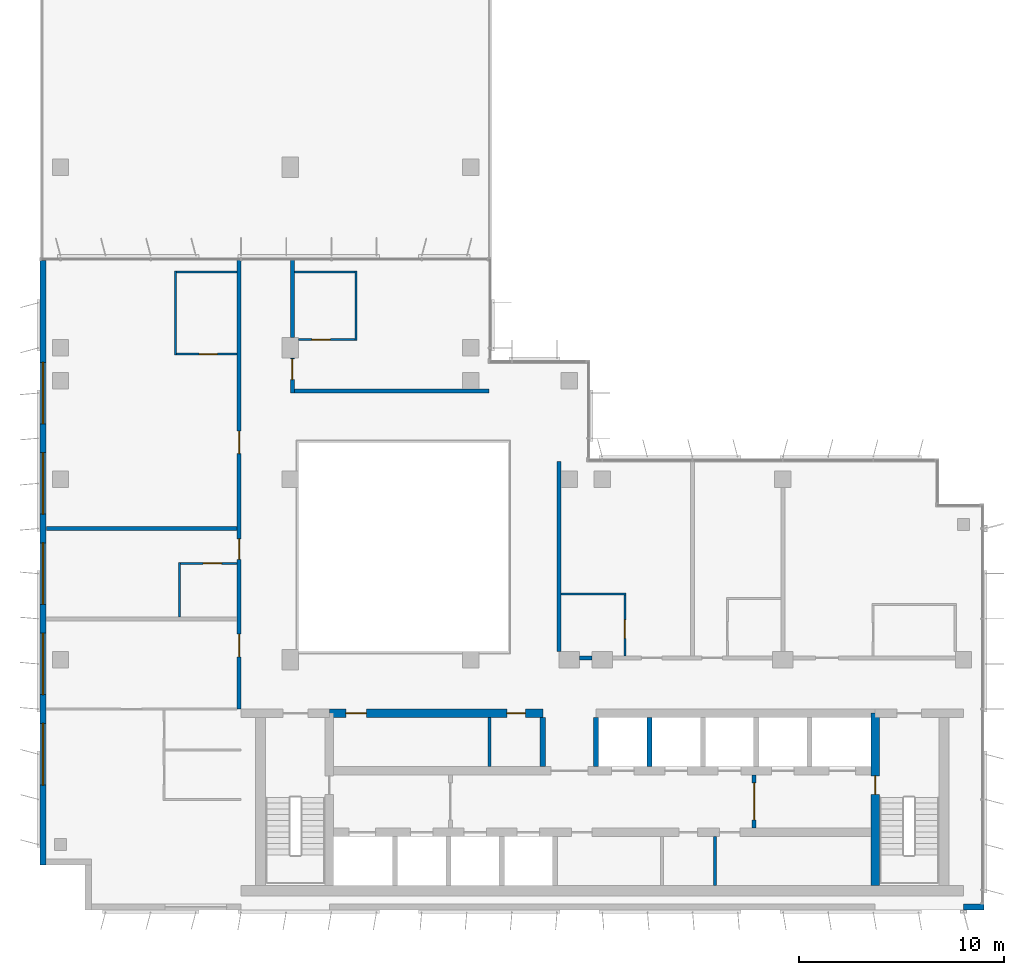
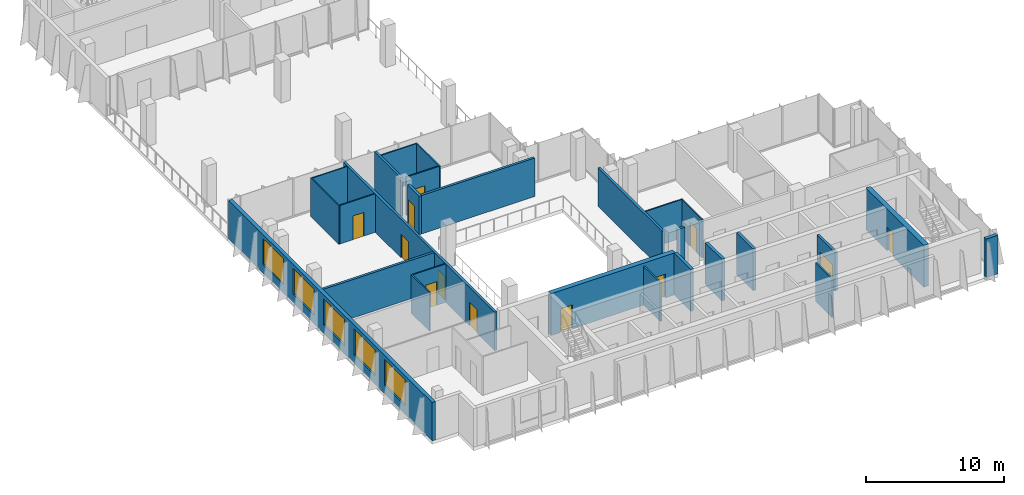
# One storey, part 10 of 15: 27 walls, 12 doors, 5 windows, 17 openings.
"""IFC4 building model written with IfcOpenShell, lengths in metres."""

from ifc_helpers import new_model, si_unit, direction, frame, frame_2d, origin, place, context, subcontext, project, spatial, rectangle, extrude, material, layer, layer_set, type_object, element, fill, save


model = new_model("IFC4")

# Units and contexts
model_context = context("Model", 3, precision=1e-05, world=origin(), true_north=direction((0.0, 1.0)))
body_context = subcontext(model_context, "Body", "Model", "MODEL_VIEW")
ifc_project = project(units=[si_unit("LENGTHUNIT", "METRE"), si_unit("AREAUNIT", "SQUARE_METRE"), si_unit("VOLUMEUNIT", "CUBIC_METRE"), si_unit("PLANEANGLEUNIT", "RADIAN"), si_unit("MASSUNIT", "GRAM", prefix="KILO")], contexts=[model_context])

# Site, building, storey
site_placement = place(None, origin())
site = spatial("IfcSite", under=ifc_project, at=site_placement, CompositionType="ELEMENT")
building_placement = place(site_placement, origin())
building = spatial("IfcBuilding", under=site, at=building_placement, Name="Kemantara Hotel Tower", CompositionType="ELEMENT")
storey_placement = place(building_placement, frame((0.0, 0.0, 241.300048828125)))
storey = spatial("IfcBuildingStorey", under=building, at=storey_placement, Name="L60", CompositionType="ELEMENT", Elevation=241.300048828125)

# Wall, openings, windows
ifc_material_1 = material(Name="Bronze anodised aluminium cladding on insulated steel stud wall", Category="steel")
ifc_layer_1 = layer(ifc_material_1, 0.300048828125)
ifc_layer_set_1 = layer_set([ifc_layer_1], Name="Bronze anodised aluminium cladding on insulated steel stud wall")
wall_type_1 = type_object("IfcWallType", Name="BRONZE METAL-CLAD EXTERNAL WALL 300", PredefinedType="STANDARD", material=ifc_layer_set_1)
wall_1_placement = place(storey_placement, frame((0.14990234375, 31.64990234375, 0.0), z_axis=(0.0, 0.0, 1.0), x_axis=(0.0, -1.0, 0.0)))
wall_1 = element("IfcWall", 1, at=wall_1_placement, inside=storey, type_object=wall_type_1, Name="EXTERNAL WALL L60 T4P-R02", PredefinedType="STANDARD", context=body_context, shape_type="SweptSolid", body=[
    extrude(rectangle(XDim=29.449951171875, YDim=0.300048828125, at=frame_2d((14.72509765625, 0.0))), origin(), (0.0, 0.0, 1.0), 3.39990234375),
])
opening_1_placement = place(wall_1_placement, frame((4.949951171875, 0.0, 0.75)))
opening_1 = element("IfcOpeningElement", 2, at=opening_1_placement, cuts=wall_1, Name="Opening W1", PredefinedType="OPENING", context=body_context, shape_type="SweptSolid", body=[
    extrude(rectangle(XDim=3.0, YDim=2.300048828125, at=frame_2d((1.5, 1.14990234375))), frame((0.0, 0.159912109375, 0.0), z_axis=(0.0, -1.0, 0.0), x_axis=(1.0, 0.0, 0.0)), (0.0, 0.0, 1.0), 0.320068359375),
])
opening_2_placement = place(wall_1_placement, frame((9.35009765625, 0.0, 0.75)))
opening_2 = element("IfcOpeningElement", 3, at=opening_2_placement, cuts=wall_1, Name="Opening W1", PredefinedType="OPENING", context=body_context, shape_type="SweptSolid", body=[
    extrude(rectangle(XDim=3.0, YDim=2.300048828125, at=frame_2d((1.5, 1.14990234375))), frame((0.0, 0.159912109375, 0.0), z_axis=(0.0, -1.0, 0.0), x_axis=(1.0, 0.0, 0.0)), (0.0, 0.0, 1.0), 0.320068359375),
])
opening_3_placement = place(wall_1_placement, frame((13.75, 0.0, 0.75)))
opening_3 = element("IfcOpeningElement", 4, at=opening_3_placement, cuts=wall_1, Name="Opening W1", PredefinedType="OPENING", context=body_context, shape_type="SweptSolid", body=[
    extrude(rectangle(XDim=3.0, YDim=2.300048828125, at=frame_2d((1.5, 1.14990234375))), frame((0.0, 0.159912109375, 0.0), z_axis=(0.0, -1.0, 0.0), x_axis=(1.0, 0.0, 0.0)), (0.0, 0.0, 1.0), 0.320068359375),
])
opening_4_placement = place(wall_1_placement, frame((18.14990234375, 0.0, 0.75)))
opening_4 = element("IfcOpeningElement", 5, at=opening_4_placement, cuts=wall_1, Name="Opening W1", PredefinedType="OPENING", context=body_context, shape_type="SweptSolid", body=[
    extrude(rectangle(XDim=3.0, YDim=2.300048828125, at=frame_2d((1.5, 1.14990234375))), frame((0.0, 0.159912109375, 0.0), z_axis=(0.0, -1.0, 0.0), x_axis=(1.0, 0.0, 0.0)), (0.0, 0.0, 1.0), 0.320068359375),
])
opening_5_placement = place(wall_1_placement, frame((22.550048828125, 0.0, 0.75)))
opening_5 = element("IfcOpeningElement", 6, at=opening_5_placement, cuts=wall_1, Name="Opening W1", PredefinedType="OPENING", context=body_context, shape_type="SweptSolid", body=[
    extrude(rectangle(XDim=3.0, YDim=2.300048828125, at=frame_2d((1.5, 1.14990234375))), frame((0.0, 0.159912109375, 0.0), z_axis=(0.0, -1.0, 0.0), x_axis=(1.0, 0.0, 0.0)), (0.0, 0.0, 1.0), 0.320068359375),
])
ifc_material_2 = material(Name="Low-E tinted double insulated glass in bronze anodised aluminium frame", Category="aluminium")
window_type = type_object("IfcWindowType", Name="CHICAGO WINDOW, TRIPLE PANEL 3000x2300", PartitioningType="TRIPLE_PANEL_VERTICAL", PredefinedType="WINDOW", material=ifc_material_2)
window_1_placement = place(opening_1_placement, origin())
window_1 = element("IfcWindow", 7, at=window_1_placement, inside=storey, type_object=window_type, Name="CHICAGO WINDOW L60 T4P-R02-66", OverallHeight=2.300048828125, OverallWidth=3.0, PartitioningType="SINGLE_PANEL", PredefinedType="WINDOW", context=body_context, shape_type="SweptSolid", body=[
    extrude(rectangle(XDim=3.0, YDim=2.300048828125, at=frame_2d((1.5, 1.14990234375))), frame((0.0, 0.030029296875, 0.0), z_axis=(0.0, -1.0, 0.0), x_axis=(1.0, 0.0, 0.0)), (0.0, 0.0, 1.0), 0.06005859375),
])
fill(opening_1, window_1)
window_2_placement = place(opening_2_placement, origin())
window_2 = element("IfcWindow", 8, at=window_2_placement, inside=storey, type_object=window_type, Name="CHICAGO WINDOW L60 T4P-R02-110", OverallHeight=2.300048828125, OverallWidth=3.0, PartitioningType="SINGLE_PANEL", PredefinedType="WINDOW", context=body_context, shape_type="SweptSolid", body=[
    extrude(rectangle(XDim=3.0, YDim=2.300048828125, at=frame_2d((1.5, 1.14990234375))), frame((0.0, 0.030029296875, 0.0), z_axis=(0.0, -1.0, 0.0), x_axis=(1.0, 0.0, 0.0)), (0.0, 0.0, 1.0), 0.06005859375),
])
fill(opening_2, window_2)
window_3_placement = place(opening_3_placement, origin())
window_3 = element("IfcWindow", 9, at=window_3_placement, inside=storey, type_object=window_type, Name="CHICAGO WINDOW L60 T4P-R02-154", OverallHeight=2.300048828125, OverallWidth=3.0, PartitioningType="SINGLE_PANEL", PredefinedType="WINDOW", context=body_context, shape_type="SweptSolid", body=[
    extrude(rectangle(XDim=3.0, YDim=2.300048828125, at=frame_2d((1.5, 1.14990234375))), frame((0.0, 0.030029296875, 0.0), z_axis=(0.0, -1.0, 0.0), x_axis=(1.0, 0.0, 0.0)), (0.0, 0.0, 1.0), 0.06005859375),
])
fill(opening_3, window_3)
window_4_placement = place(opening_4_placement, origin())
window_4 = element("IfcWindow", 10, at=window_4_placement, inside=storey, type_object=window_type, Name="CHICAGO WINDOW L60 T4P-R02-198", OverallHeight=2.300048828125, OverallWidth=3.0, PartitioningType="SINGLE_PANEL", PredefinedType="WINDOW", context=body_context, shape_type="SweptSolid", body=[
    extrude(rectangle(XDim=3.0, YDim=2.300048828125, at=frame_2d((1.5, 1.14990234375))), frame((0.0, 0.030029296875, 0.0), z_axis=(0.0, -1.0, 0.0), x_axis=(1.0, 0.0, 0.0)), (0.0, 0.0, 1.0), 0.06005859375),
])
fill(opening_4, window_4)
window_5_placement = place(opening_5_placement, origin())
window_5 = element("IfcWindow", 11, at=window_5_placement, inside=storey, type_object=window_type, Name="CHICAGO WINDOW L60 T4P-R02-242", OverallHeight=2.300048828125, OverallWidth=3.0, PartitioningType="SINGLE_PANEL", PredefinedType="WINDOW", context=body_context, shape_type="SweptSolid", body=[
    extrude(rectangle(XDim=3.0, YDim=2.300048828125, at=frame_2d((1.5, 1.14990234375))), frame((0.0, 0.030029296875, 0.0), z_axis=(0.0, -1.0, 0.0), x_axis=(1.0, 0.0, 0.0)), (0.0, 0.0, 1.0), 0.06005859375),
])
fill(opening_5, window_5)

# Walls
wall_2_placement = place(storey_placement, frame((45.0, 0.14990234375, 0.0), z_axis=(0.0, 0.0, 1.0), x_axis=(1.0, 0.0, 0.0)))
element("IfcWall", 12, at=wall_2_placement, inside=storey, type_object=wall_type_1, Name="EXTERNAL WALL L60 T4P-R05-3", PredefinedType="STANDARD", context=body_context, shape_type="SweptSolid", body=[
    extrude(rectangle(XDim=1.0, YDim=0.300048828125, at=frame_2d((0.5, 0.0))), origin(), (0.0, 0.0, 1.0), 3.39990234375),
])
ifc_material_3 = material(Name="Concrete fc 60 MPa", Category="concrete")
ifc_layer_2 = layer(ifc_material_3, 0.25)
ifc_layer_set_2 = layer_set([ifc_layer_2], Name="Concrete fc 60 MPa")
wall_type_2 = type_object("IfcWallType", Name="CORE WALL 250 FC60", PredefinedType="SHEAR", material=ifc_layer_set_2)
for number, where, z_axis, x_axis, name in (
    (13, (24.5, 7.0, 0.0), (0.0, 0.0, 1.0), (0.0, 1.0, 0.0), "CORE WALL CW-DN24.5"),
    (14, (27.10009765625, 7.0, 0.0), (0.0, 0.0, 1.0), (0.0, 1.0, 0.0), "CORE WALL CW-DN27.1"),
    (15, (29.699951171875, 7.0, 0.0), (0.0, 0.0, 1.0), (0.0, 1.0, 0.0), "CORE WALL CW-DN29.7"),
):
    element("IfcWall", number, at=place(storey_placement, frame(where, z_axis=z_axis, x_axis=x_axis)), inside=storey, type_object=wall_type_2, Name=name, PredefinedType="SHEAR", context=body_context, shape_type="SweptSolid", body=[
        extrude(rectangle(XDim=2.39990234375, YDim=0.25, at=frame_2d((1.199951171875, 0.0))), origin(), (0.0, 0.0, 1.0), 3.699951171875),
    ])

# Wall, openings, doors
ifc_layer_3 = layer(ifc_material_3, 0.39990234375)
ifc_layer_set_3 = layer_set([ifc_layer_3], Name="Concrete fc 60 MPa")
wall_type_3 = type_object("IfcWallType", Name="CORE WALL 400 FC60", PredefinedType="SHEAR", material=ifc_layer_set_3)
wall_3_placement = place(storey_placement, frame((14.10009765625, 9.60009765625, 0.0), z_axis=(0.0, 0.0, 1.0), x_axis=(1.0, 0.0, 0.0)))
wall_3 = element("IfcWall", 16, at=wall_3_placement, inside=storey, type_object=wall_type_3, Name="CORE WALL CW-NN1", PredefinedType="SHEAR", context=body_context, shape_type="SweptSolid", body=[
    extrude(rectangle(XDim=10.39990234375, YDim=0.39990234375, at=frame_2d((5.199951171875, 0.0))), origin(), (0.0, 0.0, 1.0), 3.699951171875),
])
opening_6_placement = place(wall_3_placement, frame((0.800048828125, 0.0, 0.0)))
opening_6 = element("IfcOpeningElement", 17, at=opening_6_placement, cuts=wall_3, Name="Opening C36-R-NW1", PredefinedType="OPENING", context=body_context, shape_type="SweptSolid", body=[
    extrude(rectangle(XDim=1.0, YDim=2.10009765625, at=frame_2d((0.5, 1.050048828125))), frame((0.0, 0.2099609375, 0.0), z_axis=(0.0, -1.0, 0.0), x_axis=(1.0, 0.0, 0.0)), (0.0, 0.0, 1.0), 0.419921875),
])
opening_7_placement = place(wall_3_placement, frame((8.64990234375, 0.0, 0.0)))
opening_7 = element("IfcOpeningElement", 18, at=opening_7_placement, cuts=wall_3, Name="Opening C36-R-NW2", PredefinedType="OPENING", context=body_context, shape_type="SweptSolid", body=[
    extrude(rectangle(XDim=0.89990234375, YDim=2.10009765625, at=frame_2d((0.449951171875, 1.050048828125))), frame((0.0, 0.2099609375, 0.0), z_axis=(0.0, -1.0, 0.0), x_axis=(1.0, 0.0, 0.0)), (0.0, 0.0, 1.0), 0.419921875),
])
ifc_material_4 = material(Name="Steel fire door", Category="steel")
door_type_1 = type_object("IfcDoorType", Name="Fire door FD30S 1000 x 2100", OperationType="NOTDEFINED", PredefinedType="DOOR", material=ifc_material_4)
door_1_placement = place(opening_6_placement, frame((1.0, 0.0, 0.0), z_axis=(0.0, 0.0, 1.0), x_axis=(-1.0, 0.0, 0.0)))
door_1 = element("IfcDoor", 19, at=door_1_placement, inside=storey, type_object=door_type_1, Name="Linen Store door", OperationType="SINGLE_SWING_RIGHT", OverallHeight=2.10009765625, OverallWidth=1.0, PredefinedType="DOOR", context=body_context, shape_type="SweptSolid", body=[
    extrude(rectangle(XDim=1.0, YDim=2.10009765625, at=frame_2d((0.5, 1.050048828125))), frame((0.0, 0.02490234375, 0.0), z_axis=(0.0, -1.0, 0.0), x_axis=(1.0, 0.0, 0.0)), (0.0, 0.0, 1.0), 0.050048828125),
])
fill(opening_6, door_1)
door_type_2 = type_object("IfcDoorType", Name="Fire door FD60 900 x 2100", OperationType="NOTDEFINED", PredefinedType="DOOR", material=ifc_material_4)
door_2_placement = place(opening_7_placement, frame((0.89990234375, 0.0, 0.0), z_axis=(0.0, 0.0, 1.0), x_axis=(-1.0, 0.0, 0.0)))
door_2 = element("IfcDoor", 20, at=door_2_placement, inside=storey, type_object=door_type_2, Name="It Equipment Room door", OperationType="SINGLE_SWING_LEFT", OverallHeight=2.10009765625, OverallWidth=0.89990234375, PredefinedType="DOOR", context=body_context, shape_type="SweptSolid", body=[
    extrude(rectangle(XDim=0.89990234375, YDim=2.10009765625, at=frame_2d((0.449951171875, 1.050048828125))), frame((0.0, 0.02490234375, 0.0), z_axis=(0.0, -1.0, 0.0), x_axis=(1.0, 0.0, 0.0)), (0.0, 0.0, 1.0), 0.050048828125),
])
fill(opening_7, door_2)

# Wall, opening, door
wall_4_placement = place(storey_placement, frame((40.699951171875, 1.199951171875, 0.0), z_axis=(0.0, 0.0, 1.0), x_axis=(0.0, 1.0, 0.0)))
wall_4 = element("IfcWall", 21, at=wall_4_placement, inside=storey, type_object=wall_type_3, Name="CORE WALL CW-ST2W", PredefinedType="SHEAR", context=body_context, shape_type="SweptSolid", body=[
    extrude(rectangle(XDim=8.400146484375, YDim=0.39990234375, at=frame_2d((4.2001953125, 0.0))), origin(), (0.0, 0.0, 1.0), 3.699951171875),
])
opening_8_placement = place(wall_4_placement, frame((4.449951171875, 0.0, 0.0)))
opening_8 = element("IfcOpeningElement", 22, at=opening_8_placement, cuts=wall_4, Name="Opening C36-ST2-F", PredefinedType="OPENING", context=body_context, shape_type="SweptSolid", body=[
    extrude(rectangle(XDim=0.89990234375, YDim=2.10009765625, at=frame_2d((0.449951171875, 1.050048828125))), frame((0.0, 0.2099609375, 0.0), z_axis=(0.0, -1.0, 0.0), x_axis=(1.0, 0.0, 0.0)), (0.0, 0.0, 1.0), 0.419921875),
])
door_type_3 = type_object("IfcDoorType", Name="Fire door FD90 900 x 2100", OperationType="NOTDEFINED", PredefinedType="DOOR", material=ifc_material_4)
door_3_placement = place(opening_8_placement, frame((0.89990234375, 0.0, 0.0), z_axis=(0.0, 0.0, 1.0), x_axis=(-1.0, 0.0, 0.0)))
door_3 = element("IfcDoor", 23, at=door_3_placement, inside=storey, type_object=door_type_3, Name="Stair ST2 door to firefighting lobby", OperationType="SINGLE_SWING_LEFT", OverallHeight=2.10009765625, OverallWidth=0.89990234375, PredefinedType="DOOR", context=body_context, shape_type="SweptSolid", body=[
    extrude(rectangle(XDim=0.89990234375, YDim=2.10009765625, at=frame_2d((0.449951171875, 1.050048828125))), frame((0.0, 0.02490234375, 0.0), z_axis=(0.0, -1.0, 0.0), x_axis=(1.0, 0.0, 0.0)), (0.0, 0.0, 1.0), 0.050048828125),
])
fill(opening_8, door_3)

# Wall
ifc_material_5 = material(Name="Gypsum board partition, steel studs and mineral wool, 200 mm", Category="steel")
ifc_layer_4 = layer(ifc_material_5, 0.199951171875)
ifc_layer_set_4 = layer_set([ifc_layer_4], Name="Gypsum board partition, steel studs and mineral wool, 200 mm")
wall_type_4 = type_object("IfcWallType", Name="CORRIDOR WALL 200", PredefinedType="PARTITIONING", material=ifc_layer_set_4)
wall_5_placement = place(storey_placement, frame((26.300048828125, 12.300048828125, 0.0), z_axis=(0.0, 0.0, 1.0), x_axis=(1.0, 0.0, 0.0)))
element("IfcWall", 24, at=wall_5_placement, inside=storey, type_object=wall_type_4, Name="CORRIDOR WALL 200 009", PredefinedType="PARTITIONING", context=body_context, shape_type="SweptSolid", body=[
    extrude(rectangle(XDim=0.599853515625, YDim=0.199951171875, at=frame_2d((0.2998046875, 0.0))), origin(), (0.0, 0.0, 1.0), 3.39990234375),
])

# Wall, openings, doors
wall_6_placement = place(storey_placement, frame((9.699951171875, 9.800048828125, 0.0), z_axis=(0.0, 0.0, 1.0), x_axis=(0.0, 1.0, 0.0)))
wall_6 = element("IfcWall", 25, at=wall_6_placement, inside=storey, type_object=wall_type_4, Name="CORRIDOR WALL 200 015", PredefinedType="PARTITIONING", context=body_context, shape_type="SweptSolid", body=[
    extrude(rectangle(XDim=21.8798828125, YDim=0.199951171875, at=frame_2d((10.93994140625, 0.0))), origin(), (0.0, 0.0, 1.0), 3.39990234375),
])
opening_9_placement = place(wall_6_placement, frame((2.550048828125, 0.0, 0.0)))
opening_9 = element("IfcOpeningElement", 26, at=opening_9_placement, cuts=wall_6, Name="Opening F30-007", PredefinedType="OPENING", context=body_context, shape_type="SweptSolid", body=[
    extrude(rectangle(XDim=1.10009765625, YDim=2.10009765625, at=frame_2d((0.550048828125, 1.050048828125))), frame((0.0, 0.10986328125, 0.0), z_axis=(0.0, -1.0, 0.0), x_axis=(1.0, 0.0, 0.0)), (0.0, 0.0, 1.0), 0.219970703125),
])
opening_10_placement = place(wall_6_placement, frame((7.300048828125, 0.0, 0.0)))
opening_10 = element("IfcOpeningElement", 27, at=opening_10_placement, cuts=wall_6, Name="Opening F30-011", PredefinedType="OPENING", context=body_context, shape_type="SweptSolid", body=[
    extrude(rectangle(XDim=1.0, YDim=2.10009765625, at=frame_2d((0.5, 1.050048828125))), frame((0.0, 0.10986328125, 0.0), z_axis=(0.0, -1.0, 0.0), x_axis=(1.0, 0.0, 0.0)), (0.0, 0.0, 1.0), 0.219970703125),
])
opening_11_placement = place(wall_6_placement, frame((12.449951171875, 0.0, 0.0)))
opening_11 = element("IfcOpeningElement", 28, at=opening_11_placement, cuts=wall_6, Name="Opening F30-013", PredefinedType="OPENING", context=body_context, shape_type="SweptSolid", body=[
    extrude(rectangle(XDim=1.10009765625, YDim=2.10009765625, at=frame_2d((0.550048828125, 1.050048828125))), frame((0.0, 0.10986328125, 0.0), z_axis=(0.0, -1.0, 0.0), x_axis=(1.0, 0.0, 0.0)), (0.0, 0.0, 1.0), 0.219970703125),
])
ifc_material_6 = material(Name="Hardwood veneer door leaf with steel frame", Category="steel")
door_type_4 = type_object("IfcDoorType", Name="GUEST ROOM DOOR 1000 X 2100 FD30S", OperationType="NOTDEFINED", PredefinedType="DOOR", material=ifc_material_6)
door_4_placement = place(opening_10_placement, origin())
door_4 = element("IfcDoor", 29, at=door_4_placement, inside=storey, type_object=door_type_4, Name="GUEST ROOM DOOR F30-011", OperationType="SINGLE_SWING_RIGHT", OverallHeight=2.10009765625, OverallWidth=1.0, PredefinedType="DOOR", context=body_context, shape_type="SweptSolid", body=[
    extrude(rectangle(XDim=1.0, YDim=2.10009765625, at=frame_2d((0.5, 1.050048828125))), frame((0.0, 0.02490234375, 0.0), z_axis=(0.0, -1.0, 0.0), x_axis=(1.0, 0.0, 0.0)), (0.0, 0.0, 1.0), 0.050048828125),
])
fill(opening_10, door_4)
door_type_5 = type_object("IfcDoorType", Name="SUITE ENTRANCE DOOR 1100 X 2100 FD30S", OperationType="NOTDEFINED", PredefinedType="DOOR", material=ifc_material_6)
door_5_placement = place(opening_9_placement, origin())
door_5 = element("IfcDoor", 30, at=door_5_placement, inside=storey, type_object=door_type_5, Name="SUITE ENTRANCE DOOR F30-007", OperationType="SINGLE_SWING_RIGHT", OverallHeight=2.10009765625, OverallWidth=1.10009765625, PredefinedType="DOOR", context=body_context, shape_type="SweptSolid", body=[
    extrude(rectangle(XDim=1.10009765625, YDim=2.10009765625, at=frame_2d((0.550048828125, 1.050048828125))), frame((0.0, 0.02490234375, 0.0), z_axis=(0.0, -1.0, 0.0), x_axis=(1.0, 0.0, 0.0)), (0.0, 0.0, 1.0), 0.050048828125),
])
fill(opening_9, door_5)
door_6_placement = place(opening_11_placement, origin())
door_6 = element("IfcDoor", 31, at=door_6_placement, inside=storey, type_object=door_type_5, Name="SUITE ENTRANCE DOOR F30-013", OperationType="SINGLE_SWING_LEFT", OverallHeight=2.10009765625, OverallWidth=1.10009765625, PredefinedType="DOOR", context=body_context, shape_type="SweptSolid", body=[
    extrude(rectangle(XDim=1.10009765625, YDim=2.10009765625, at=frame_2d((0.550048828125, 1.050048828125))), frame((0.0, 0.02490234375, 0.0), z_axis=(0.0, -1.0, 0.0), x_axis=(1.0, 0.0, 0.0)), (0.0, 0.0, 1.0), 0.050048828125),
])
fill(opening_11, door_6)

# Wall, opening, door
wall_7_placement = place(storey_placement, frame((12.300048828125, 26.89990234375, 0.0), z_axis=(0.0, 0.0, 1.0), x_axis=(0.0, -1.0, 0.0)))
wall_7 = element("IfcWall", 32, at=wall_7_placement, inside=storey, type_object=wall_type_4, Name="CORRIDOR WALL 200 018", PredefinedType="PARTITIONING", context=body_context, shape_type="SweptSolid", body=[
    extrude(rectangle(XDim=1.699951171875, YDim=0.199951171875, at=frame_2d((0.85009765625, 0.0))), origin(), (0.0, 0.0, 1.0), 3.39990234375),
])
opening_12_placement = place(wall_7_placement, frame((0.0498046875, 0.0, 0.0)))
opening_12 = element("IfcOpeningElement", 33, at=opening_12_placement, cuts=wall_7, Name="Opening F30-015", PredefinedType="OPENING", context=body_context, shape_type="SweptSolid", body=[
    extrude(rectangle(XDim=1.0, YDim=2.10009765625, at=frame_2d((0.5, 1.050048828125))), frame((0.0, 0.10986328125, 0.0), z_axis=(0.0, -1.0, 0.0), x_axis=(1.0, 0.0, 0.0)), (0.0, 0.0, 1.0), 0.219970703125),
])
door_7_placement = place(opening_12_placement, origin())
door_7 = element("IfcDoor", 34, at=door_7_placement, inside=storey, type_object=door_type_4, Name="GUEST ROOM DOOR F30-015", OperationType="SINGLE_SWING_RIGHT", OverallHeight=2.10009765625, OverallWidth=1.0, PredefinedType="DOOR", context=body_context, shape_type="SweptSolid", body=[
    extrude(rectangle(XDim=1.0, YDim=2.10009765625, at=frame_2d((0.5, 1.050048828125))), frame((0.0, 0.02490234375, 0.0), z_axis=(0.0, -1.0, 0.0), x_axis=(1.0, 0.0, 0.0)), (0.0, 0.0, 1.0), 0.050048828125),
])
fill(opening_12, door_7)

# Walls
wall_8_placement = place(storey_placement, frame((12.300048828125, 27.900146484375, 0.0), z_axis=(0.0, 0.0, 1.0), x_axis=(0.0, 1.0, 0.0)))
element("IfcWall", 35, at=wall_8_placement, inside=storey, type_object=wall_type_4, Name="CORRIDOR WALL 200 019", PredefinedType="PARTITIONING", context=body_context, shape_type="SweptSolid", body=[
    extrude(rectangle(XDim=3.77978515625, YDim=0.199951171875, at=frame_2d((1.889892578125, 0.0))), origin(), (0.0, 0.0, 1.0), 3.39990234375),
])
ifc_layer_5 = layer(ifc_material_5, 0.199951171875)
ifc_layer_set_5 = layer_set([ifc_layer_5], Name="Gypsum board partition, steel studs and mineral wool, 200 mm")
wall_type_5 = type_object("IfcWallType", Name="GUEST ROOM PARTY WALL 200", PredefinedType="PARTITIONING", material=ifc_layer_set_5)
wall_9_placement = place(storey_placement, frame((25.300048828125, 12.60009765625, 0.0), z_axis=(0.0, 0.0, 1.0), x_axis=(0.0, 1.0, 0.0)))
element("IfcWall", 36, at=wall_9_placement, inside=storey, type_object=wall_type_5, Name="GUEST ROOM PARTY WALL 200 012", PredefinedType="PARTITIONING", context=body_context, shape_type="SweptSolid", body=[
    extrude(rectangle(XDim=9.27001953125, YDim=0.199951171875, at=frame_2d((4.635009765625, 0.0))), origin(), (0.0, 0.0, 1.0), 3.39990234375),
])
wall_10_placement = place(storey_placement, frame((0.31005859375, 18.60009765625, 0.0), z_axis=(0.0, 0.0, 1.0), x_axis=(1.0, 0.0, 0.0)))
element("IfcWall", 37, at=wall_10_placement, inside=storey, type_object=wall_type_5, Name="GUEST ROOM PARTY WALL 200 017", PredefinedType="PARTITIONING", context=body_context, shape_type="SweptSolid", body=[
    extrude(rectangle(XDim=9.2900390625, YDim=0.199951171875, at=frame_2d((4.64501953125, 0.0))), origin(), (0.0, 0.0, 1.0), 3.39990234375),
])
wall_11_placement = place(storey_placement, frame((12.39990234375, 25.300048828125, 0.0), z_axis=(0.0, 0.0, 1.0), x_axis=(1.0, 0.0, 0.0)))
element("IfcWall", 38, at=wall_11_placement, inside=storey, type_object=wall_type_5, Name="GUEST ROOM PARTY WALL 200 020", PredefinedType="PARTITIONING", context=body_context, shape_type="SweptSolid", body=[
    extrude(rectangle(XDim=9.47021484375, YDim=0.199951171875, at=frame_2d((4.735107421875, 0.0))), origin(), (0.0, 0.0, 1.0), 3.39990234375),
])
ifc_material_7 = material(Name="Gypsum board partition")
ifc_layer_6 = layer(ifc_material_7, 0.14990234375)
ifc_layer_set_6 = layer_set([ifc_layer_6], Name="Gypsum board partition")
wall_type_6 = type_object("IfcWallType", Name="Gypsum board partition 150 mm", PredefinedType="PARTITIONING", material=ifc_layer_set_6)
wall_12_placement = place(storey_placement, frame((21.89990234375, 7.0, 0.0), z_axis=(0.0, 0.0, 1.0), x_axis=(0.0, 1.0, 0.0)))
element("IfcWall", 39, at=wall_12_placement, inside=storey, type_object=wall_type_6, Name="Core room partition", PredefinedType="PARTITIONING", context=body_context, shape_type="SweptSolid", body=[
    extrude(rectangle(XDim=2.39990234375, YDim=0.14990234375, at=frame_2d((1.199951171875, 0.0))), origin(), (0.0, 0.0, 1.0), 3.39990234375),
])
wall_13_placement = place(storey_placement, frame((32.89990234375, 1.199951171875, 0.0), z_axis=(0.0, 0.0, 1.0), x_axis=(0.0, 1.0, 0.0)))
element("IfcWall", 40, at=wall_13_placement, inside=storey, type_object=wall_type_6, Name="Core room partition", PredefinedType="PARTITIONING", context=body_context, shape_type="SweptSolid", body=[
    extrude(rectangle(XDim=2.400146484375, YDim=0.14990234375, at=frame_2d((1.2001953125, 0.0))), origin(), (0.0, 0.0, 1.0), 3.39990234375),
])

# Wall, opening, door
ifc_material_8 = material(Name="Gypsum board shaft wall")
ifc_layer_7 = layer(ifc_material_8, 0.199951171875)
ifc_layer_set_7 = layer_set([ifc_layer_7], Name="Gypsum board shaft wall")
wall_type_7 = type_object("IfcWallType", Name="Gypsum board shaft wall 200 mm", PredefinedType="PARTITIONING", material=ifc_layer_set_7)
wall_14_placement = place(storey_placement, frame((34.800048828125, 4.0, 0.0), z_axis=(0.0, 0.0, 1.0), x_axis=(0.0, 1.0, 0.0)))
wall_14 = element("IfcWall", 41, at=wall_14_placement, inside=storey, type_object=wall_type_7, Name="Firefighting lobby partition east", PredefinedType="PARTITIONING", context=body_context, shape_type="SweptSolid", body=[
    extrude(rectangle(XDim=2.60009765625, YDim=0.199951171875, at=frame_2d((1.300048828125, 0.0))), origin(), (0.0, 0.0, 1.0), 3.39990234375),
])
opening_13_placement = place(wall_14_placement, frame((0.39990234375, 0.0, 0.0)))
opening_13 = element("IfcOpeningElement", 42, at=opening_13_placement, cuts=wall_14, Name="Opening C36-FFE", PredefinedType="OPENING", context=body_context, shape_type="SweptSolid", body=[
    extrude(rectangle(XDim=1.800048828125, YDim=2.10009765625, at=frame_2d((0.89990234375, 1.050048828125))), frame((0.0, 0.10986328125, 0.0), z_axis=(0.0, -1.0, 0.0), x_axis=(1.0, 0.0, 0.0)), (0.0, 0.0, 1.0), 0.219970703125),
])
door_type_6 = type_object("IfcDoorType", Name="Fire door pair FD60 1800 x 2100", OperationType="DOUBLE_DOOR_SINGLE_SWING", PredefinedType="DOOR", material=ifc_material_4)
door_8_placement = place(opening_13_placement, frame((1.800048828125, 0.0, 0.0), z_axis=(0.0, 0.0, 1.0), x_axis=(-1.0, 0.0, 0.0)))
door_8 = element("IfcDoor", 43, at=door_8_placement, inside=storey, type_object=door_type_6, Name="Firefighting lobby door east", OperationType="DOUBLE_DOOR_SINGLE_SWING", OverallHeight=2.10009765625, OverallWidth=1.800048828125, PredefinedType="DOOR", context=body_context, shape_type="SweptSolid", body=[
    extrude(rectangle(XDim=1.800048828125, YDim=2.10009765625, at=frame_2d((0.89990234375, 1.050048828125))), frame((0.0, 0.02490234375, 0.0), z_axis=(0.0, -1.0, 0.0), x_axis=(1.0, 0.0, 0.0)), (0.0, 0.0, 1.0), 0.050048828125),
])
fill(opening_13, door_8)

# Wall
ifc_material_9 = material(Name="Gypsum board partition on steel studs, 100 mm", Category="steel")
ifc_layer_8 = layer(ifc_material_9, 0.10009765625)
ifc_layer_set_8 = layer_set([ifc_layer_8], Name="Gypsum board partition on steel studs, 100 mm")
wall_type_8 = type_object("IfcWallType", Name="ROOM PARTITION 100", PredefinedType="PARTITIONING", material=ifc_layer_set_8)
wall_15_placement = place(storey_placement, frame((25.39990234375, 15.39990234375, 0.0), z_axis=(0.0, 0.0, 1.0), x_axis=(1.0, 0.0, 0.0)))
element("IfcWall", 44, at=wall_15_placement, inside=storey, type_object=wall_type_8, Name="ROOM PARTITION 100 021", PredefinedType="PARTITIONING", context=body_context, shape_type="SweptSolid", body=[
    extrude(rectangle(XDim=3.150146484375, YDim=0.10009765625, at=frame_2d((1.5751953125, 0.0))), origin(), (0.0, 0.0, 1.0), 3.39990234375),
])

# Wall, opening, door
wall_16_placement = place(storey_placement, frame((28.5, 12.39990234375, 0.0), z_axis=(0.0, 0.0, 1.0), x_axis=(0.0, 1.0, 0.0)))
wall_16 = element("IfcWall", 45, at=wall_16_placement, inside=storey, type_object=wall_type_8, Name="ROOM PARTITION 100 022", PredefinedType="PARTITIONING", context=body_context, shape_type="SweptSolid", body=[
    extrude(rectangle(XDim=2.9501953125, YDim=0.10009765625, at=frame_2d((1.47509765625, 0.0))), origin(), (0.0, 0.0, 1.0), 3.39990234375),
])
opening_14_placement = place(wall_16_placement, frame((0.85009765625, 0.0, 0.0)))
opening_14 = element("IfcOpeningElement", 46, at=opening_14_placement, cuts=wall_16, Name="Opening F30-002", PredefinedType="OPENING", context=body_context, shape_type="SweptSolid", body=[
    extrude(rectangle(XDim=0.89990234375, YDim=2.10009765625, at=frame_2d((0.449951171875, 1.050048828125))), frame((0.0, 0.06005859375, 0.0), z_axis=(0.0, -1.0, 0.0), x_axis=(1.0, 0.0, 0.0)), (0.0, 0.0, 1.0), 0.1201171875),
])
door_type_7 = type_object("IfcDoorType", Name="BATHROOM DOOR 900 X 2100", OperationType="NOTDEFINED", PredefinedType="DOOR", material=ifc_material_6)
door_9_placement = place(opening_14_placement, origin())
door_9 = element("IfcDoor", 47, at=door_9_placement, inside=storey, type_object=door_type_7, Name="BATHROOM DOOR F30-002", OperationType="SINGLE_SWING_LEFT", OverallHeight=2.10009765625, OverallWidth=0.89990234375, PredefinedType="DOOR", context=body_context, shape_type="SweptSolid", body=[
    extrude(rectangle(XDim=0.89990234375, YDim=2.10009765625, at=frame_2d((0.449951171875, 1.050048828125))), frame((0.0, 0.02490234375, 0.0), z_axis=(0.0, -1.0, 0.0), x_axis=(1.0, 0.0, 0.0)), (0.0, 0.0, 1.0), 0.050048828125),
])
fill(opening_14, door_9)

# Wall
wall_17_placement = place(storey_placement, frame((6.800048828125, 14.300048828125, 0.0), z_axis=(0.0, 0.0, 1.0), x_axis=(0.0, 1.0, 0.0)))
element("IfcWall", 48, at=wall_17_placement, inside=storey, type_object=wall_type_8, Name="ROOM PARTITION 100 032", PredefinedType="PARTITIONING", context=body_context, shape_type="SweptSolid", body=[
    extrude(rectangle(XDim=2.64990234375, YDim=0.10009765625, at=frame_2d((1.324951171875, 0.0))), origin(), (0.0, 0.0, 1.0), 3.39990234375),
])

# Wall, opening, door
wall_18_placement = place(storey_placement, frame((9.60009765625, 16.89990234375, 0.0), z_axis=(0.0, 0.0, 1.0), x_axis=(-1.0, 0.0, 0.0)))
wall_18 = element("IfcWall", 49, at=wall_18_placement, inside=storey, type_object=wall_type_8, Name="ROOM PARTITION 100 033", PredefinedType="PARTITIONING", context=body_context, shape_type="SweptSolid", body=[
    extrude(rectangle(XDim=2.75, YDim=0.10009765625, at=frame_2d((1.375, 0.0))), origin(), (0.0, 0.0, 1.0), 3.39990234375),
])
opening_15_placement = place(wall_18_placement, frame((0.75, 0.0, 0.0)))
opening_15 = element("IfcOpeningElement", 50, at=opening_15_placement, cuts=wall_18, Name="Opening F30-012", PredefinedType="OPENING", context=body_context, shape_type="SweptSolid", body=[
    extrude(rectangle(XDim=0.89990234375, YDim=2.10009765625, at=frame_2d((0.449951171875, 1.050048828125))), frame((0.0, 0.06005859375, 0.0), z_axis=(0.0, -1.0, 0.0), x_axis=(1.0, 0.0, 0.0)), (0.0, 0.0, 1.0), 0.1201171875),
])
door_10_placement = place(opening_15_placement, origin())
door_10 = element("IfcDoor", 51, at=door_10_placement, inside=storey, type_object=door_type_7, Name="BATHROOM DOOR F30-012", OperationType="SINGLE_SWING_LEFT", OverallHeight=2.10009765625, OverallWidth=0.89990234375, PredefinedType="DOOR", context=body_context, shape_type="SweptSolid", body=[
    extrude(rectangle(XDim=0.89990234375, YDim=2.10009765625, at=frame_2d((0.449951171875, 1.050048828125))), frame((0.0, 0.02490234375, 0.0), z_axis=(0.0, -1.0, 0.0), x_axis=(1.0, 0.0, 0.0)), (0.0, 0.0, 1.0), 0.050048828125),
])
fill(opening_15, door_10)

# Wall
wall_19_placement = place(storey_placement, frame((6.60009765625, 27.050048828125, 0.0), z_axis=(0.0, 0.0, 1.0), x_axis=(0.0, 1.0, 0.0)))
element("IfcWall", 52, at=wall_19_placement, inside=storey, type_object=wall_type_8, Name="ROOM PARTITION 100 034", PredefinedType="PARTITIONING", context=body_context, shape_type="SweptSolid", body=[
    extrude(rectangle(XDim=4.099853515625, YDim=0.10009765625, at=frame_2d((2.0498046875, 0.0))), origin(), (0.0, 0.0, 1.0), 3.39990234375),
])

# Wall, opening, door
wall_20_placement = place(storey_placement, frame((6.64990234375, 27.10009765625, 0.0), z_axis=(0.0, 0.0, 1.0), x_axis=(1.0, 0.0, 0.0)))
wall_20 = element("IfcWall", 53, at=wall_20_placement, inside=storey, type_object=wall_type_8, Name="ROOM PARTITION 100 035", PredefinedType="PARTITIONING", context=body_context, shape_type="SweptSolid", body=[
    extrude(rectangle(XDim=2.9501953125, YDim=0.10009765625, at=frame_2d((1.47509765625, 0.0))), origin(), (0.0, 0.0, 1.0), 3.39990234375),
])
opening_16_placement = place(wall_20_placement, frame((1.10009765625, 0.0, 0.0)))
opening_16 = element("IfcOpeningElement", 54, at=opening_16_placement, cuts=wall_20, Name="Opening F30-014", PredefinedType="OPENING", context=body_context, shape_type="SweptSolid", body=[
    extrude(rectangle(XDim=0.89990234375, YDim=2.10009765625, at=frame_2d((0.449951171875, 1.050048828125))), frame((0.0, 0.06005859375, 0.0), z_axis=(0.0, -1.0, 0.0), x_axis=(1.0, 0.0, 0.0)), (0.0, 0.0, 1.0), 0.1201171875),
])
door_11_placement = place(opening_16_placement, origin())
door_11 = element("IfcDoor", 55, at=door_11_placement, inside=storey, type_object=door_type_7, Name="BATHROOM DOOR F30-014", OperationType="SINGLE_SWING_RIGHT", OverallHeight=2.10009765625, OverallWidth=0.89990234375, PredefinedType="DOOR", context=body_context, shape_type="SweptSolid", body=[
    extrude(rectangle(XDim=0.89990234375, YDim=2.10009765625, at=frame_2d((0.449951171875, 1.050048828125))), frame((0.0, 0.02490234375, 0.0), z_axis=(0.0, -1.0, 0.0), x_axis=(1.0, 0.0, 0.0)), (0.0, 0.0, 1.0), 0.050048828125),
])
fill(opening_16, door_11)

# Walls
for number, where, z_axis, x_axis, name in (
    (56, (6.64990234375, 31.10009765625, 0.0), (0.0, 0.0, 1.0), (1.0, 0.0, 0.0), "ROOM PARTITION 100 036"),
    (57, (12.39990234375, 31.10009765625, 0.0), (0.0, 0.0, 1.0), (1.0, 0.0, 0.0), "ROOM PARTITION 100 037"),
):
    element("IfcWall", number, at=place(storey_placement, frame(where, z_axis=z_axis, x_axis=x_axis)), inside=storey, type_object=wall_type_8, Name=name, PredefinedType="PARTITIONING", context=body_context, shape_type="SweptSolid", body=[
        extrude(rectangle(XDim=2.9501953125, YDim=0.10009765625, at=frame_2d((1.47509765625, 0.0))), origin(), (0.0, 0.0, 1.0), 3.39990234375),
    ])
wall_21_placement = place(storey_placement, frame((15.39990234375, 27.75, 0.0), z_axis=(0.0, 0.0, 1.0), x_axis=(0.0, 1.0, 0.0)))
element("IfcWall", 58, at=wall_21_placement, inside=storey, type_object=wall_type_8, Name="ROOM PARTITION 100 038", PredefinedType="PARTITIONING", context=body_context, shape_type="SweptSolid", body=[
    extrude(rectangle(XDim=3.39990234375, YDim=0.10009765625, at=frame_2d((1.699951171875, 0.0))), origin(), (0.0, 0.0, 1.0), 3.39990234375),
])

# Wall, opening, door
wall_22_placement = place(storey_placement, frame((12.60009765625, 27.800048828125, 0.0), z_axis=(0.0, 0.0, 1.0), x_axis=(1.0, 0.0, 0.0)))
wall_22 = element("IfcWall", 59, at=wall_22_placement, inside=storey, type_object=wall_type_8, Name="ROOM PARTITION 100 039", PredefinedType="PARTITIONING", context=body_context, shape_type="SweptSolid", body=[
    extrude(rectangle(XDim=2.75, YDim=0.10009765625, at=frame_2d((1.375, 0.0))), origin(), (0.0, 0.0, 1.0), 3.39990234375),
])
opening_17_placement = place(wall_22_placement, frame((0.64990234375, 0.0, 0.0)))
opening_17 = element("IfcOpeningElement", 60, at=opening_17_placement, cuts=wall_22, Name="Opening F30-016", PredefinedType="OPENING", context=body_context, shape_type="SweptSolid", body=[
    extrude(rectangle(XDim=0.89990234375, YDim=2.10009765625, at=frame_2d((0.449951171875, 1.050048828125))), frame((0.0, 0.06005859375, 0.0), z_axis=(0.0, -1.0, 0.0), x_axis=(1.0, 0.0, 0.0)), (0.0, 0.0, 1.0), 0.1201171875),
])
door_12_placement = place(opening_17_placement, origin())
door_12 = element("IfcDoor", 61, at=door_12_placement, inside=storey, type_object=door_type_7, Name="BATHROOM DOOR F30-016", OperationType="SINGLE_SWING_LEFT", OverallHeight=2.10009765625, OverallWidth=0.89990234375, PredefinedType="DOOR", context=body_context, shape_type="SweptSolid", body=[
    extrude(rectangle(XDim=0.89990234375, YDim=2.10009765625, at=frame_2d((0.449951171875, 1.050048828125))), frame((0.0, 0.02490234375, 0.0), z_axis=(0.0, -1.0, 0.0), x_axis=(1.0, 0.0, 0.0)), (0.0, 0.0, 1.0), 0.050048828125),
])
fill(opening_17, door_12)

save(model, "model.ifc")
